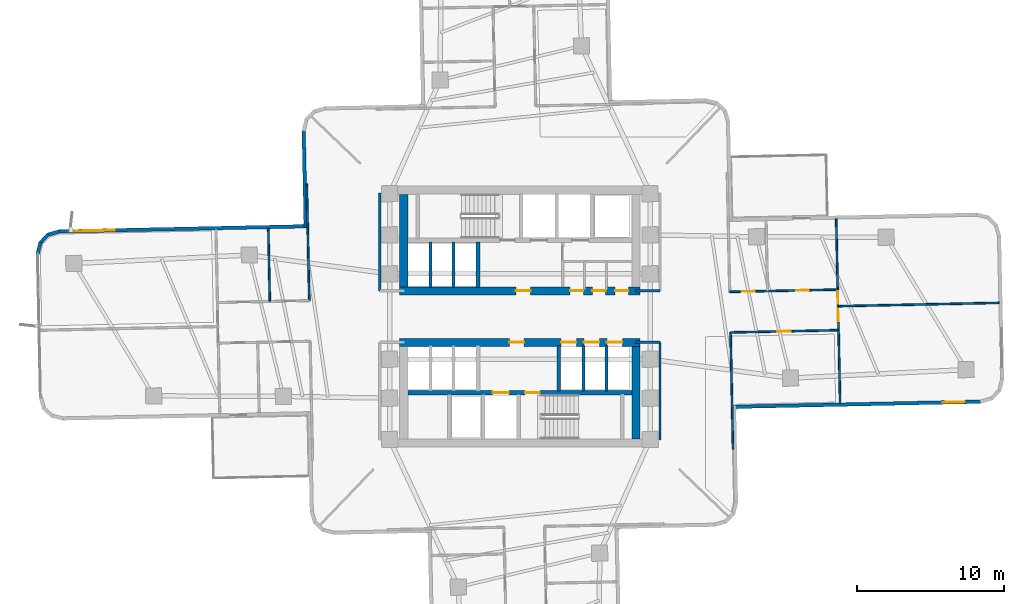
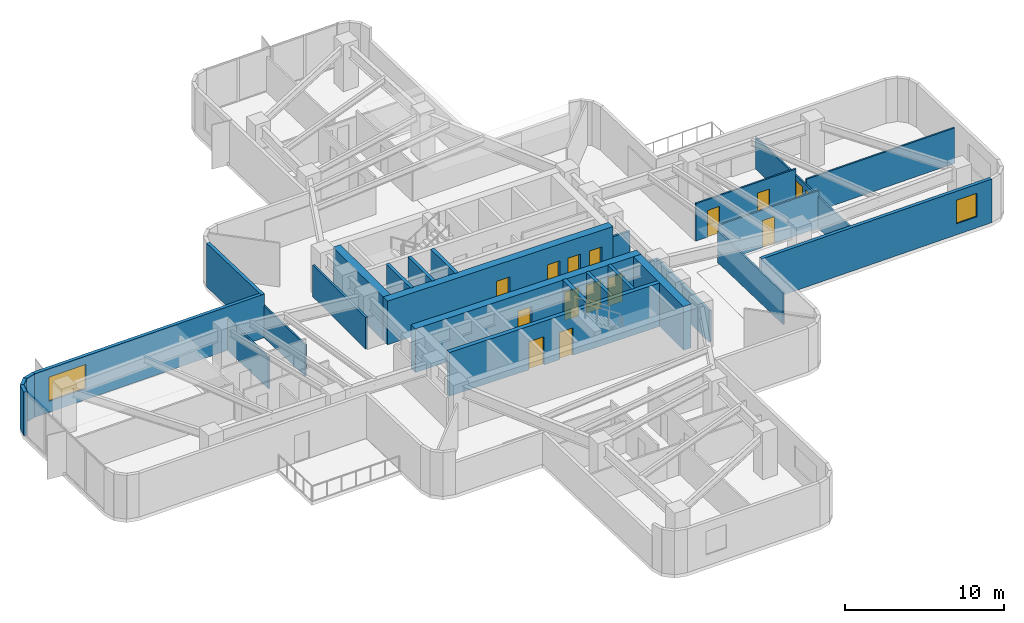
# One storey, part 9 of 15: 28 walls, 15 doors, 2 windows, 17 openings.
"""IFC4 building model written with IfcOpenShell, lengths in metres."""

from ifc_helpers import new_model, si_unit, direction, frame, frame_2d, origin, place, context, subcontext, project, spatial, rectangle, extrude, material, layer, layer_set, type_object, element, fill, save


model = new_model("IFC4")

# Units and contexts
model_context = context("Model", 3, precision=1e-05, world=origin(), true_north=direction((0.0, 1.0)))
body_context = subcontext(model_context, "Body", "Model", "MODEL_VIEW")
ifc_project = project(units=[si_unit("LENGTHUNIT", "METRE"), si_unit("AREAUNIT", "SQUARE_METRE"), si_unit("VOLUMEUNIT", "CUBIC_METRE"), si_unit("PLANEANGLEUNIT", "RADIAN"), si_unit("MASSUNIT", "GRAM", prefix="KILO")], contexts=[model_context])

# Site, building, storey
site_placement = place(None, origin())
site = spatial("IfcSite", under=ifc_project, at=site_placement, CompositionType="ELEMENT")
building_placement = place(site_placement, origin())
building = spatial("IfcBuilding", under=site, at=building_placement, Name="Solmarez Civic Tower", CompositionType="ELEMENT")
storey_placement = place(building_placement, frame((0.0, 0.0, 38.8798828125)))
storey = spatial("IfcBuildingStorey", under=building, at=storey_placement, Name="L09", CompositionType="ELEMENT", Elevation=38.8798828125)

# Wall, openings, doors
ifc_material_1 = material(Name="Concrete C60/75", Category="concrete")
ifc_layer_1 = layer(ifc_material_1, 0.550048828125)
ifc_layer_set_1 = layer_set([ifc_layer_1], Name="Concrete C60/75")
wall_type_1 = type_object("IfcWallType", Name="WALL-CORE-550", PredefinedType="SHEAR", material=ifc_layer_set_1)
wall_1_placement = place(storey_placement, frame((8.169921875, 1.75, 0.0), z_axis=(0.0, 0.0, 1.0), x_axis=(-1.0, 0.0, 0.0)))
wall_1 = element("IfcWall", 1, at=wall_1_placement, inside=storey, type_object=wall_type_1, Name="L09 Split-Core Structural Wall NCW-S-L09", PredefinedType="SHEAR", context=body_context, shape_type="SweptSolid", body=[
    extrude(rectangle(XDim=16.33984375, YDim=0.550048828125, at=frame_2d((8.169921875, 0.0))), origin(), (0.0, 0.0, 1.0), 3.340087890625),
])
opening_1_placement = place(wall_1_placement, frame((7.449951171875, 0.0, 0.0)))
opening_1 = element("IfcOpeningElement", 2, at=opening_1_placement, cuts=wall_1, Name="Opening D-04", PredefinedType="OPENING", context=body_context, shape_type="SweptSolid", body=[
    extrude(rectangle(XDim=1.0, YDim=2.10009765625, at=frame_2d((0.5, 1.050048828125))), frame((0.0, 0.284912109375, 0.0), z_axis=(0.0, -1.0, 0.0), x_axis=(1.0, 0.0, 0.0)), (0.0, 0.0, 1.0), 0.570068359375),
])
opening_2_placement = place(wall_1_placement, frame((3.85009765625, 0.0, 0.0)))
opening_2 = element("IfcOpeningElement", 3, at=opening_2_placement, cuts=wall_1, Name="Opening D-09", PredefinedType="OPENING", context=body_context, shape_type="SweptSolid", body=[
    extrude(rectangle(XDim=0.89990234375, YDim=2.06005859375, at=frame_2d((0.449951171875, 1.030029296875))), frame((0.0, 0.284912109375, 0.0), z_axis=(0.0, -1.0, 0.0), x_axis=(1.0, 0.0, 0.0)), (0.0, 0.0, 1.0), 0.570068359375),
])
opening_3_placement = place(wall_1_placement, frame((2.35009765625, 0.0, 0.0)))
opening_3 = element("IfcOpeningElement", 4, at=opening_3_placement, cuts=wall_1, Name="Opening D-09", PredefinedType="OPENING", context=body_context, shape_type="SweptSolid", body=[
    extrude(rectangle(XDim=0.89990234375, YDim=2.06005859375, at=frame_2d((0.449951171875, 1.030029296875))), frame((0.0, 0.284912109375, 0.0), z_axis=(0.0, -1.0, 0.0), x_axis=(1.0, 0.0, 0.0)), (0.0, 0.0, 1.0), 0.570068359375),
])
opening_4_placement = place(wall_1_placement, frame((0.800048828125, 0.0, 0.0)))
opening_4 = element("IfcOpeningElement", 5, at=opening_4_placement, cuts=wall_1, Name="Opening D-09", PredefinedType="OPENING", context=body_context, shape_type="SweptSolid", body=[
    extrude(rectangle(XDim=0.89990234375, YDim=2.06005859375, at=frame_2d((0.449951171875, 1.030029296875))), frame((0.0, 0.284912109375, 0.0), z_axis=(0.0, -1.0, 0.0), x_axis=(1.0, 0.0, 0.0)), (0.0, 0.0, 1.0), 0.570068359375),
])
ifc_material_2 = material(Name="Steel-Faced Acoustic Fire Door", Category="steel")
door_type_1 = type_object("IfcDoorType", Name="DOOR-FD60-1000", OperationType="NOTDEFINED", PredefinedType="DOOR", material=ifc_material_2)
door_1_placement = place(opening_1_placement, origin())
door_1 = element("IfcDoor", 6, at=door_1_placement, inside=storey, type_object=door_type_1, Name="L09 North Firefighting Lobby Door", OperationType="SINGLE_SWING_RIGHT", OverallHeight=2.10009765625, OverallWidth=1.0, PredefinedType="DOOR", context=body_context, shape_type="SweptSolid", body=[
    extrude(rectangle(XDim=1.0, YDim=2.10009765625, at=frame_2d((0.5, 1.050048828125))), frame((0.0, 0.02490234375, 0.0), z_axis=(0.0, -1.0, 0.0), x_axis=(1.0, 0.0, 0.0)), (0.0, 0.0, 1.0), 0.050048828125),
])
fill(opening_1, door_1)
ifc_material_3 = material(Name="Fire-Rated Service Core Door", Category="wood")
door_type_2 = type_object("IfcDoorType", Name="DOOR-FD60-900", OperationType="NOTDEFINED", PredefinedType="DOOR", material=ifc_material_3)
door_2_placement = place(opening_2_placement, origin())
door_2 = element("IfcDoor", 7, at=door_2_placement, inside=storey, type_object=door_type_2, Name="L09 Core WC Door", OperationType="SINGLE_SWING_RIGHT", OverallHeight=2.06005859375, OverallWidth=0.89990234375, PredefinedType="DOOR", context=body_context, shape_type="SweptSolid", body=[
    extrude(rectangle(XDim=0.89990234375, YDim=2.06005859375, at=frame_2d((0.449951171875, 1.030029296875))), frame((0.0, 0.02490234375, 0.0), z_axis=(0.0, -1.0, 0.0), x_axis=(1.0, 0.0, 0.0)), (0.0, 0.0, 1.0), 0.050048828125),
])
fill(opening_2, door_2)
door_3_placement = place(opening_3_placement, origin())
door_3 = element("IfcDoor", 8, at=door_3_placement, inside=storey, type_object=door_type_2, Name="L09 Core CL Door", OperationType="SINGLE_SWING_LEFT", OverallHeight=2.06005859375, OverallWidth=0.89990234375, PredefinedType="DOOR", context=body_context, shape_type="SweptSolid", body=[
    extrude(rectangle(XDim=0.89990234375, YDim=2.06005859375, at=frame_2d((0.449951171875, 1.030029296875))), frame((0.0, 0.02490234375, 0.0), z_axis=(0.0, -1.0, 0.0), x_axis=(1.0, 0.0, 0.0)), (0.0, 0.0, 1.0), 0.050048828125),
])
fill(opening_3, door_3)
door_4_placement = place(opening_4_placement, origin())
door_4 = element("IfcDoor", 9, at=door_4_placement, inside=storey, type_object=door_type_2, Name="L09 Core IT Door", OperationType="SINGLE_SWING_LEFT", OverallHeight=2.06005859375, OverallWidth=0.89990234375, PredefinedType="DOOR", context=body_context, shape_type="SweptSolid", body=[
    extrude(rectangle(XDim=0.89990234375, YDim=2.06005859375, at=frame_2d((0.449951171875, 1.030029296875))), frame((0.0, 0.02490234375, 0.0), z_axis=(0.0, -1.0, 0.0), x_axis=(1.0, 0.0, 0.0)), (0.0, 0.0, 1.0), 0.050048828125),
])
fill(opening_4, door_4)

# Wall
wall_2_placement = place(storey_placement, frame((-7.89501953125, 2.02490234375, 0.0), z_axis=(0.0, 0.0, 1.0), x_axis=(0.0, 1.0, 0.0)))
element("IfcWall", 10, at=wall_2_placement, inside=storey, type_object=wall_type_1, Name="L09 Split-Core Structural Wall NCW-W-L09", PredefinedType="SHEAR", context=body_context, shape_type="SweptSolid", body=[
    extrude(rectangle(XDim=6.28515625, YDim=0.550048828125, at=frame_2d((3.142578125, 0.0))), origin(), (0.0, 0.0, 1.0), 3.340087890625),
])

# Wall, openings, doors
wall_3_placement = place(storey_placement, frame((-8.169921875, -1.75, 0.0), z_axis=(0.0, 0.0, 1.0), x_axis=(1.0, 0.0, 0.0)))
wall_3 = element("IfcWall", 11, at=wall_3_placement, inside=storey, type_object=wall_type_1, Name="L09 Split-Core Structural Wall SCW-N-L09", PredefinedType="SHEAR", context=body_context, shape_type="SweptSolid", body=[
    extrude(rectangle(XDim=16.33984375, YDim=0.550048828125, at=frame_2d((8.169921875, 0.0))), origin(), (0.0, 0.0, 1.0), 3.340087890625),
])
opening_5_placement = place(wall_3_placement, frame((7.449951171875, 0.0, 0.0)))
opening_5 = element("IfcOpeningElement", 12, at=opening_5_placement, cuts=wall_3, Name="Opening D-04", PredefinedType="OPENING", context=body_context, shape_type="SweptSolid", body=[
    extrude(rectangle(XDim=1.0, YDim=2.10009765625, at=frame_2d((0.5, 1.050048828125))), frame((0.0, 0.284912109375, 0.0), z_axis=(0.0, -1.0, 0.0), x_axis=(1.0, 0.0, 0.0)), (0.0, 0.0, 1.0), 0.570068359375),
])
opening_6_placement = place(wall_3_placement, frame((10.965087890625, 0.0, 0.0)))
opening_6 = element("IfcOpeningElement", 13, at=opening_6_placement, cuts=wall_3, Name="Opening LD-01", PredefinedType="OPENING", context=body_context, shape_type="SweptSolid", body=[
    extrude(rectangle(XDim=1.050048828125, YDim=2.14990234375, at=frame_2d((0.52490234375, 1.074951171875))), frame((0.0, 0.284912109375, 0.0), z_axis=(0.0, -1.0, 0.0), x_axis=(1.0, 0.0, 0.0)), (0.0, 0.0, 1.0), 0.570068359375),
])
opening_7_placement = place(wall_3_placement, frame((12.52490234375, 0.0, 0.0)))
opening_7 = element("IfcOpeningElement", 14, at=opening_7_placement, cuts=wall_3, Name="Opening LD-01", PredefinedType="OPENING", context=body_context, shape_type="SweptSolid", body=[
    extrude(rectangle(XDim=1.050048828125, YDim=2.14990234375, at=frame_2d((0.52490234375, 1.074951171875))), frame((0.0, 0.284912109375, 0.0), z_axis=(0.0, -1.0, 0.0), x_axis=(1.0, 0.0, 0.0)), (0.0, 0.0, 1.0), 0.570068359375),
])
opening_8_placement = place(wall_3_placement, frame((14.0849609375, 0.0, 0.0)))
opening_8 = element("IfcOpeningElement", 15, at=opening_8_placement, cuts=wall_3, Name="Opening LD-01", PredefinedType="OPENING", context=body_context, shape_type="SweptSolid", body=[
    extrude(rectangle(XDim=1.050048828125, YDim=2.14990234375, at=frame_2d((0.52490234375, 1.074951171875))), frame((0.0, 0.284912109375, 0.0), z_axis=(0.0, -1.0, 0.0), x_axis=(1.0, 0.0, 0.0)), (0.0, 0.0, 1.0), 0.570068359375),
])
door_5_placement = place(opening_5_placement, origin())
door_5 = element("IfcDoor", 16, at=door_5_placement, inside=storey, type_object=door_type_1, Name="L09 South Firefighting Lobby Door", OperationType="SINGLE_SWING_LEFT", OverallHeight=2.10009765625, OverallWidth=1.0, PredefinedType="DOOR", context=body_context, shape_type="SweptSolid", body=[
    extrude(rectangle(XDim=1.0, YDim=2.10009765625, at=frame_2d((0.5, 1.050048828125))), frame((0.0, 0.02490234375, 0.0), z_axis=(0.0, -1.0, 0.0), x_axis=(1.0, 0.0, 0.0)), (0.0, 0.0, 1.0), 0.050048828125),
])
fill(opening_5, door_5)
ifc_material_4 = material(Name="Bronze Passenger Lift Landing Sliding Door", Category="aluminium")
door_type_3 = type_object("IfcDoorType", Name="DOOR-LD-PAX-1050", OperationType="DOUBLE_DOOR_SLIDING", PredefinedType="DOOR", material=ifc_material_4)
door_6_placement = place(opening_6_placement, origin())
door_6 = element("IfcDoor", 17, at=door_6_placement, inside=storey, type_object=door_type_3, Name="L09 Low-Rise Lift Landing Door PL-L1", OperationType="DOUBLE_DOOR_SLIDING", OverallHeight=2.14990234375, OverallWidth=1.050048828125, PredefinedType="DOOR", context=body_context, shape_type="SweptSolid", body=[
    extrude(rectangle(XDim=1.050048828125, YDim=2.14990234375, at=frame_2d((0.52490234375, 1.074951171875))), frame((0.0, 0.02490234375, 0.0), z_axis=(0.0, -1.0, 0.0), x_axis=(1.0, 0.0, 0.0)), (0.0, 0.0, 1.0), 0.050048828125),
])
fill(opening_6, door_6)
door_7_placement = place(opening_7_placement, origin())
door_7 = element("IfcDoor", 18, at=door_7_placement, inside=storey, type_object=door_type_3, Name="L09 Low-Rise Lift Landing Door PL-L2", OperationType="DOUBLE_DOOR_SLIDING", OverallHeight=2.14990234375, OverallWidth=1.050048828125, PredefinedType="DOOR", context=body_context, shape_type="SweptSolid", body=[
    extrude(rectangle(XDim=1.050048828125, YDim=2.14990234375, at=frame_2d((0.52490234375, 1.074951171875))), frame((0.0, 0.02490234375, 0.0), z_axis=(0.0, -1.0, 0.0), x_axis=(1.0, 0.0, 0.0)), (0.0, 0.0, 1.0), 0.050048828125),
])
fill(opening_7, door_7)
door_8_placement = place(opening_8_placement, origin())
door_8 = element("IfcDoor", 19, at=door_8_placement, inside=storey, type_object=door_type_3, Name="L09 Low-Rise Lift Landing Door PL-L3", OperationType="DOUBLE_DOOR_SLIDING", OverallHeight=2.14990234375, OverallWidth=1.050048828125, PredefinedType="DOOR", context=body_context, shape_type="SweptSolid", body=[
    extrude(rectangle(XDim=1.050048828125, YDim=2.14990234375, at=frame_2d((0.52490234375, 1.074951171875))), frame((0.0, 0.02490234375, 0.0), z_axis=(0.0, -1.0, 0.0), x_axis=(1.0, 0.0, 0.0)), (0.0, 0.0, 1.0), 0.050048828125),
])
fill(opening_8, door_8)

# Walls
wall_4_placement = place(storey_placement, frame((7.89501953125, -2.02490234375, 0.0), z_axis=(0.0, 0.0, 1.0), x_axis=(0.0, -1.0, 0.0)))
element("IfcWall", 20, at=wall_4_placement, inside=storey, type_object=wall_type_1, Name="L09 Split-Core Structural Wall SCW-E-L09", PredefinedType="SHEAR", context=body_context, shape_type="SweptSolid", body=[
    extrude(rectangle(XDim=6.28515625, YDim=0.550048828125, at=frame_2d((3.142578125, 0.0))), origin(), (0.0, 0.0, 1.0), 3.340087890625),
])
ifc_material_5 = material(Name="Precast concrete C40/50", Category="concrete")
ifc_layer_2 = layer(ifc_material_5, 0.239990234375)
ifc_layer_set_2 = layer_set([ifc_layer_2], Name="Precast concrete C40/50")
wall_type_2 = type_object("IfcWallType", Name="WALL-EXT-240", PredefinedType="SOLIDWALL", material=ifc_layer_set_2)
wall_5_placement = place(storey_placement, frame((-32.781982421875, 4.235107421875, 0.0), z_axis=(0.0, 0.0, 1.0), x_axis=(0.238860968489, 0.971053776952, 0.0)))
element("IfcWall", 21, at=wall_5_placement, inside=storey, type_object=wall_type_2, Name="L09 Exterior Precast Wall 7", PredefinedType="SOLIDWALL", context=body_context, shape_type="SweptSolid", body=[
    extrude(rectangle(XDim=0.828857421875, YDim=0.239990234375, at=frame_2d((0.41455078125, 0.0))), origin(), (0.0, 0.0, 1.0), 3.340087890625),
])
wall_6_placement = place(storey_placement, frame((-32.60693359375, 4.998046875, 0.0), z_axis=(0.0, 0.0, 1.0), x_axis=(0.691018151037, 0.722837405602, 0.0)))
element("IfcWall", 22, at=wall_6_placement, inside=storey, type_object=wall_type_2, Name="L09 Exterior Precast Wall 8", PredefinedType="SOLIDWALL", context=body_context, shape_type="SweptSolid", body=[
    extrude(rectangle(XDim=0.813232421875, YDim=0.239990234375, at=frame_2d((0.40673828125, 0.0))), origin(), (0.0, 0.0, 1.0), 3.340087890625),
])
wall_7_placement = place(storey_placement, frame((-32.0859375, 5.56103515625, 0.0), z_axis=(0.0, 0.0, 1.0), x_axis=(0.960249728562, 0.279142362954, 0.0)))
element("IfcWall", 23, at=wall_7_placement, inside=storey, type_object=wall_type_2, Name="L09 Exterior Precast Wall 9", PredefinedType="SOLIDWALL", context=body_context, shape_type="SweptSolid", body=[
    extrude(rectangle(XDim=0.830810546875, YDim=0.239990234375, at=frame_2d((0.41552734375, 0.0))), origin(), (0.0, 0.0, 1.0), 3.340087890625),
])

# Wall, opening, window
wall_8_placement = place(storey_placement, frame((-31.3369140625, 5.784912109375, 0.0), z_axis=(0.0, 0.0, 1.0), x_axis=(0.999779951425, 0.020977338469, 0.0)))
wall_8 = element("IfcWall", 24, at=wall_8_placement, inside=storey, type_object=wall_type_2, Name="L09 Exterior Precast Wall 10", PredefinedType="SOLIDWALL", context=body_context, shape_type="SweptSolid", body=[
    extrude(rectangle(XDim=16.87548828125, YDim=0.239990234375, at=frame_2d((8.437744140625, 0.0))), origin(), (0.0, 0.0, 1.0), 3.340087890625),
])
opening_9_placement = place(wall_8_placement, frame((1.10009765625, 0.0, 0.85009765625)))
opening_9 = element("IfcOpeningElement", 25, at=opening_9_placement, cuts=wall_8, Name="Opening W-05", PredefinedType="OPENING", context=body_context, shape_type="SweptSolid", body=[
    extrude(rectangle(XDim=2.699951171875, YDim=1.85009765625, at=frame_2d((1.35009765625, 0.925048828125))), frame((0.0, 0.1298828125, 0.0), z_axis=(0.0, -1.0, 0.0), x_axis=(1.0, 0.0, 0.0)), (0.0, 0.0, 1.0), 0.260009765625),
])
ifc_material_6 = material(Name="Solar Control Bronze-Tinted Insulating Glass", Category="glass")
window_type_1 = type_object("IfcWindowType", Name="WIN-2700X1850", PartitioningType="SINGLE_PANEL", PredefinedType="WINDOW", material=ifc_material_6)
window_1_placement = place(opening_9_placement, origin())
window_1 = element("IfcWindow", 26, at=window_1_placement, inside=storey, type_object=window_type_1, Name="L09 Exterior Facade Window 10", OverallHeight=1.85009765625, OverallWidth=2.699951171875, PartitioningType="SINGLE_PANEL", PredefinedType="WINDOW", context=body_context, shape_type="SweptSolid", body=[
    extrude(rectangle(XDim=2.699951171875, YDim=1.85009765625, at=frame_2d((1.35009765625, 0.925048828125))), frame((0.0, 0.030029296875, 0.0), z_axis=(0.0, -1.0, 0.0), x_axis=(1.0, 0.0, 0.0)), (0.0, 0.0, 1.0), 0.06005859375),
])
fill(opening_9, window_1)

# Wall
wall_9_placement = place(storey_placement, frame((-14.55908203125, 6.041015625, 0.0), z_axis=(0.0, 0.0, 1.0), x_axis=(-0.021149327571, 0.999776327957, 0.0)))
element("IfcWall", 27, at=wall_9_placement, inside=storey, type_object=wall_type_2, Name="L09 Exterior Precast Wall 13", PredefinedType="SOLIDWALL", context=body_context, shape_type="SweptSolid", body=[
    extrude(rectangle(XDim=6.614501953125, YDim=0.239990234375, at=frame_2d((3.30712890625, 0.0))), origin(), (0.0, 0.0, 1.0), 3.340087890625),
])

# Wall, opening, window
wall_10_placement = place(storey_placement, frame((31.3369140625, -5.784912109375, 0.0), z_axis=(0.0, 0.0, 1.0), x_axis=(-0.999779951425, -0.020977338469, 0.0)))
wall_10 = element("IfcWall", 28, at=wall_10_placement, inside=storey, type_object=wall_type_2, Name="L09 Exterior Precast Wall 46", PredefinedType="SOLIDWALL", context=body_context, shape_type="SweptSolid", body=[
    extrude(rectangle(XDim=16.87548828125, YDim=0.239990234375, at=frame_2d((8.437744140625, 0.0))), origin(), (0.0, 0.0, 1.0), 3.340087890625),
])
opening_10_placement = place(wall_10_placement, frame((1.10009765625, 0.0, 0.85009765625)))
opening_10 = element("IfcOpeningElement", 29, at=opening_10_placement, cuts=wall_10, Name="Opening W-13", PredefinedType="OPENING", context=body_context, shape_type="SweptSolid", body=[
    extrude(rectangle(XDim=1.5, YDim=1.800048828125, at=frame_2d((0.75, 0.89990234375))), frame((0.0, 0.1298828125, 0.0), z_axis=(0.0, -1.0, 0.0), x_axis=(1.0, 0.0, 0.0)), (0.0, 0.0, 1.0), 0.260009765625),
])
window_type_2 = type_object("IfcWindowType", Name="WIN-1500X1800", PartitioningType="SINGLE_PANEL", PredefinedType="WINDOW", material=ifc_material_6)
window_2_placement = place(opening_10_placement, origin())
window_2 = element("IfcWindow", 30, at=window_2_placement, inside=storey, type_object=window_type_2, Name="L09 Exterior Facade Window 46", OverallHeight=1.800048828125, OverallWidth=1.5, PartitioningType="SINGLE_PANEL", PredefinedType="WINDOW", context=body_context, shape_type="SweptSolid", body=[
    extrude(rectangle(XDim=1.5, YDim=1.800048828125, at=frame_2d((0.75, 0.89990234375))), frame((0.0, 0.030029296875, 0.0), z_axis=(0.0, -1.0, 0.0), x_axis=(1.0, 0.0, 0.0)), (0.0, 0.0, 1.0), 0.06005859375),
])
fill(opening_10, window_2)

# Walls
ifc_material_7 = material(Name="Gypsum Board Acoustic Steel-Stud Partition", Category="steel")
ifc_layer_3 = layer(ifc_material_7, 0.14990234375)
ifc_layer_set_3 = layer_set([ifc_layer_3], Name="Gypsum Board Acoustic Steel-Stud Partition")
wall_type_3 = type_object("IfcWallType", Name="WALL-INT-FIRE-150", PredefinedType="PARTITIONING", material=ifc_layer_set_3)
wall_11_placement = place(storey_placement, frame((-9.52001953125, 1.75, 0.0), z_axis=(0.0, 0.0, 1.0), x_axis=(0.0, 1.0, 0.0)))
element("IfcWall", 31, at=wall_11_placement, inside=storey, type_object=wall_type_3, Name="L09 Interior Partition CHW-L09-WN1", PredefinedType="PARTITIONING", context=body_context, shape_type="SweptSolid", body=[
    extrude(rectangle(XDim=6.6298828125, YDim=0.14990234375, at=frame_2d((3.31494140625, 0.0))), origin(), (0.0, 0.0, 1.0), 2.421142578125),
])
wall_12_placement = place(storey_placement, frame((7.85009765625, 1.75, 0.0), z_axis=(0.0, 0.0, 1.0), x_axis=(1.0, 0.0, 0.0)))
element("IfcWall", 32, at=wall_12_placement, inside=storey, type_object=wall_type_3, Name="L09 Interior Partition CHW-L09-EN3", PredefinedType="PARTITIONING", context=body_context, shape_type="SweptSolid", body=[
    extrude(rectangle(XDim=1.669921875, YDim=0.14990234375, at=frame_2d((0.8349609375, 0.0))), origin(), (0.0, 0.0, 1.0), 2.405029296875),
])
wall_13_placement = place(storey_placement, frame((9.52001953125, -8.3798828125, 0.0), z_axis=(0.0, 0.0, 1.0), x_axis=(0.0, 1.0, 0.0)))
element("IfcWall", 33, at=wall_13_placement, inside=storey, type_object=wall_type_3, Name="L09 Interior Partition CHW-L09-ES1", PredefinedType="PARTITIONING", context=body_context, shape_type="SweptSolid", body=[
    extrude(rectangle(XDim=6.6298828125, YDim=0.14990234375, at=frame_2d((3.31494140625, 0.0))), origin(), (0.0, 0.0, 1.0), 2.421142578125),
])
wall_14_placement = place(storey_placement, frame((7.85009765625, -1.75, 0.0), z_axis=(0.0, 0.0, 1.0), x_axis=(1.0, 0.0, 0.0)))
element("IfcWall", 34, at=wall_14_placement, inside=storey, type_object=wall_type_3, Name="L09 Interior Partition CHW-L09-ES3", PredefinedType="PARTITIONING", context=body_context, shape_type="SweptSolid", body=[
    extrude(rectangle(XDim=1.669921875, YDim=0.14990234375, at=frame_2d((0.8349609375, 0.0))), origin(), (0.0, 0.0, 1.0), 2.405029296875),
])
ifc_layer_4 = layer(ifc_material_7, 0.1201171875)
ifc_layer_set_4 = layer_set([ifc_layer_4], Name="Gypsum Board Acoustic Steel-Stud Partition")
wall_type_4 = type_object("IfcWallType", Name="WALL-INT-PART-120", PredefinedType="PARTITIONING", material=ifc_layer_set_4)
wall_15_placement = place(storey_placement, frame((14.48193359375, -9.01806640625, 0.0), z_axis=(0.0, 0.0, 1.0), x_axis=(-0.020883173321, 0.999781922757, 0.0)))
element("IfcWall", 35, at=wall_15_placement, inside=storey, type_object=wall_type_4, Name="L09 Interior Partition PT-L09-E-EFR", PredefinedType="PARTITIONING", context=body_context, shape_type="SweptSolid", body=[
    extrude(rectangle(XDim=7.94970703125, YDim=0.1201171875, at=frame_2d((3.974853515625, 0.0))), origin(), (0.0, 0.0, 1.0), 2.421142578125),
])

# Wall, openings, doors
wall_16_placement = place(storey_placement, frame((21.595947265625, 1.8330078125, 0.0), z_axis=(0.0, 0.0, 1.0), x_axis=(-0.999779695776, -0.020989519165, 0.0)))
wall_16 = element("IfcWall", 36, at=wall_16_placement, inside=storey, type_object=wall_type_4, Name="L09 Interior Partition PT-L09-E-SL", PredefinedType="PARTITIONING", context=body_context, shape_type="SweptSolid", body=[
    extrude(rectangle(XDim=7.339599609375, YDim=0.1201171875, at=frame_2d((3.669921875, 0.0))), origin(), (0.0, 0.0, 1.0), 2.869140625),
])
opening_11_placement = place(wall_16_placement, frame((5.625, 0.0, 0.0)))
opening_11 = element("IfcOpeningElement", 37, at=opening_11_placement, cuts=wall_16, Name="Opening D-14", PredefinedType="OPENING", context=body_context, shape_type="SweptSolid", body=[
    extrude(rectangle(XDim=0.860107421875, YDim=2.0400390625, at=frame_2d((0.43017578125, 1.02001953125))), frame((0.0, 0.070068359375, 0.0), z_axis=(0.0, -1.0, 0.0), x_axis=(1.0, 0.0, 0.0)), (0.0, 0.0, 1.0), 0.14013671875),
])
opening_12_placement = place(wall_16_placement, frame((1.955078125, 0.0, 0.0)))
opening_12 = element("IfcOpeningElement", 38, at=opening_12_placement, cuts=wall_16, Name="Opening D-14", PredefinedType="OPENING", context=body_context, shape_type="SweptSolid", body=[
    extrude(rectangle(XDim=0.860107421875, YDim=2.0400390625, at=frame_2d((0.43017578125, 1.02001953125))), frame((0.0, 0.070068359375, 0.0), z_axis=(0.0, -1.0, 0.0), x_axis=(1.0, 0.0, 0.0)), (0.0, 0.0, 1.0), 0.14013671875),
])
ifc_material_8 = material(Name="Timber Storage and Pantry Door", Category="wood")
door_type_4 = type_object("IfcDoorType", Name="DOOR-INT-850", OperationType="NOTDEFINED", PredefinedType="DOOR", material=ifc_material_8)
door_9_placement = place(opening_11_placement, origin())
door_9 = element("IfcDoor", 39, at=door_9_placement, inside=storey, type_object=door_type_4, Name="L09 Legislative Seminar Room First East Door", OperationType="SINGLE_SWING_LEFT", OverallHeight=2.0400390625, OverallWidth=0.860107421875, PredefinedType="DOOR", context=body_context, shape_type="SweptSolid", body=[
    extrude(rectangle(XDim=0.860107421875, YDim=2.0400390625, at=frame_2d((0.43017578125, 1.02001953125))), frame((0.0, 0.02490234375, 0.0), z_axis=(0.0, -1.0, 0.0), x_axis=(1.0, 0.0, 0.0)), (0.0, 0.0, 1.0), 0.050048828125),
])
fill(opening_11, door_9)
door_10_placement = place(opening_12_placement, origin())
door_10 = element("IfcDoor", 40, at=door_10_placement, inside=storey, type_object=door_type_4, Name="L09 Civic Training Classroom Second East Door", OperationType="SINGLE_SWING_RIGHT", OverallHeight=2.0400390625, OverallWidth=0.860107421875, PredefinedType="DOOR", context=body_context, shape_type="SweptSolid", body=[
    extrude(rectangle(XDim=0.860107421875, YDim=2.0400390625, at=frame_2d((0.43017578125, 1.02001953125))), frame((0.0, 0.02490234375, 0.0), z_axis=(0.0, -1.0, 0.0), x_axis=(1.0, 0.0, 0.0)), (0.0, 0.0, 1.0), 0.050048828125),
])
fill(opening_12, door_10)

# Wall, opening, door
wall_17_placement = place(storey_placement, frame((14.31591796875, -1.080078125, 0.0), z_axis=(0.0, 0.0, 1.0), x_axis=(0.999782493564, 0.020855828042, 0.0)))
wall_17 = element("IfcWall", 41, at=wall_17_placement, inside=storey, type_object=wall_type_4, Name="L09 Interior Partition PT-L09-E-SR", PredefinedType="PARTITIONING", context=body_context, shape_type="SweptSolid", body=[
    extrude(rectangle(XDim=7.33984375, YDim=0.1201171875, at=frame_2d((3.669921875, 0.0))), origin(), (0.0, 0.0, 1.0), 2.869140625),
])
opening_13_placement = place(wall_17_placement, frame((3.18994140625, 0.0, 0.0)))
opening_13 = element("IfcOpeningElement", 42, at=opening_13_placement, cuts=wall_17, Name="Opening D-08", PredefinedType="OPENING", context=body_context, shape_type="SweptSolid", body=[
    extrude(rectangle(XDim=0.89990234375, YDim=2.06005859375, at=frame_2d((0.449951171875, 1.030029296875))), frame((0.0, 0.070068359375, 0.0), z_axis=(0.0, -1.0, 0.0), x_axis=(1.0, 0.0, 0.0)), (0.0, 0.0, 1.0), 0.14013671875),
])
ifc_material_9 = material(Name="Solid-Core Timber Office Door", Category="wood")
door_type_5 = type_object("IfcDoorType", Name="DOOR-INT-900", OperationType="NOTDEFINED", PredefinedType="DOOR", material=ifc_material_9)
door_11_placement = place(opening_13_placement, origin())
door_11 = element("IfcDoor", 43, at=door_11_placement, inside=storey, type_object=door_type_5, Name="L09 Delegates Sitting Lounge Third East Door", OperationType="SINGLE_SWING_RIGHT", OverallHeight=2.06005859375, OverallWidth=0.89990234375, PredefinedType="DOOR", context=body_context, shape_type="SweptSolid", body=[
    extrude(rectangle(XDim=0.89990234375, YDim=2.06005859375, at=frame_2d((0.449951171875, 1.030029296875))), frame((0.0, 0.02490234375, 0.0), z_axis=(0.0, -1.0, 0.0), x_axis=(1.0, 0.0, 0.0)), (0.0, 0.0, 1.0), 0.050048828125),
])
fill(opening_13, door_11)

# Wall
wall_18_placement = place(storey_placement, frame((21.679931640625, 0.7041015625, 0.0), z_axis=(0.0, 0.0, 1.0), x_axis=(0.999781840983, 0.02088708788, 0.0)))
element("IfcWall", 44, at=wall_18_placement, inside=storey, type_object=wall_type_4, Name="L09 Interior Partition PT-L09-E-TM", PredefinedType="PARTITIONING", context=body_context, shape_type="SweptSolid", body=[
    extrude(rectangle(XDim=10.905517578125, YDim=0.1201171875, at=frame_2d((5.45263671875, 0.0))), origin(), (0.0, 0.0, 1.0), 2.72021484375),
])

# Wall, openings, doors
wall_19_placement = place(storey_placement, frame((21.4951171875, 6.64697265625, 0.0), z_axis=(0.0, 0.0, 1.0), x_axis=(0.021028114531, -0.999778884754, 0.0)))
wall_19 = element("IfcWall", 45, at=wall_19_placement, inside=storey, type_object=wall_type_4, Name="L09 Interior Partition PT-L09-E-END", PredefinedType="PARTITIONING", context=body_context, shape_type="SweptSolid", body=[
    extrude(rectangle(XDim=12.550537109375, YDim=0.1201171875, at=frame_2d((6.275390625, 0.0))), origin(), (0.0, 0.0, 1.0), 2.421142578125),
])
opening_14_placement = place(wall_19_placement, frame((6.114990234375, 0.0, 0.0)))
opening_14 = element("IfcOpeningElement", 46, at=opening_14_placement, cuts=wall_19, Name="Opening D-14", PredefinedType="OPENING", context=body_context, shape_type="SweptSolid", body=[
    extrude(rectangle(XDim=0.860107421875, YDim=2.0400390625, at=frame_2d((0.43017578125, 1.02001953125))), frame((0.0, 0.070068359375, 0.0), z_axis=(0.0, -1.0, 0.0), x_axis=(1.0, 0.0, 0.0)), (0.0, 0.0, 1.0), 0.14013671875),
])
opening_15_placement = place(wall_19_placement, frame((4.9150390625, 0.0, 0.0)))
opening_15 = element("IfcOpeningElement", 47, at=opening_15_placement, cuts=wall_19, Name="Opening D-14", PredefinedType="OPENING", context=body_context, shape_type="SweptSolid", body=[
    extrude(rectangle(XDim=0.860107421875, YDim=2.0400390625, at=frame_2d((0.43017578125, 1.02001953125))), frame((0.0, 0.070068359375, 0.0), z_axis=(0.0, -1.0, 0.0), x_axis=(1.0, 0.0, 0.0)), (0.0, 0.0, 1.0), 0.14013671875),
])
door_12_placement = place(opening_14_placement, origin())
door_12 = element("IfcDoor", 48, at=door_12_placement, inside=storey, type_object=door_type_4, Name="L09 Public Reception Room Sixth East Door", OperationType="SINGLE_SWING_RIGHT", OverallHeight=2.0400390625, OverallWidth=0.860107421875, PredefinedType="DOOR", context=body_context, shape_type="SweptSolid", body=[
    extrude(rectangle(XDim=0.860107421875, YDim=2.0400390625, at=frame_2d((0.43017578125, 1.02001953125))), frame((0.0, 0.02490234375, 0.0), z_axis=(0.0, -1.0, 0.0), x_axis=(1.0, 0.0, 0.0)), (0.0, 0.0, 1.0), 0.050048828125),
])
fill(opening_14, door_12)
door_13_placement = place(opening_15_placement, origin())
door_13 = element("IfcDoor", 49, at=door_13_placement, inside=storey, type_object=door_type_4, Name="L09 Delegates Sitting Lounge Fifth East Door", OperationType="SINGLE_SWING_LEFT", OverallHeight=2.0400390625, OverallWidth=0.860107421875, PredefinedType="DOOR", context=body_context, shape_type="SweptSolid", body=[
    extrude(rectangle(XDim=0.860107421875, YDim=2.0400390625, at=frame_2d((0.43017578125, 1.02001953125))), frame((0.0, 0.02490234375, 0.0), z_axis=(0.0, -1.0, 0.0), x_axis=(1.0, 0.0, 0.0)), (0.0, 0.0, 1.0), 0.050048828125),
])
fill(opening_15, door_13)

# Walls
wall_20_placement = place(storey_placement, frame((-14.48193359375, 9.01806640625, 0.0), z_axis=(0.0, 0.0, 1.0), x_axis=(0.020883173321, -0.999781922757, 0.0)))
element("IfcWall", 50, at=wall_20_placement, inside=storey, type_object=wall_type_4, Name="L09 Interior Partition PT-L09-W-EFR", PredefinedType="PARTITIONING", context=body_context, shape_type="SweptSolid", body=[
    extrude(rectangle(XDim=7.94970703125, YDim=0.1201171875, at=frame_2d((3.974853515625, 0.0))), origin(), (0.0, 0.0, 1.0), 2.421142578125),
])
wall_21_placement = place(storey_placement, frame((-17.09912109375, 5.998046875, 0.0), z_axis=(0.0, 0.0, 1.0), x_axis=(0.02079187731, -0.999783825553, 0.0)))
element("IfcWall", 51, at=wall_21_placement, inside=storey, type_object=wall_type_4, Name="L09 Interior Partition PT-L09-W-RM", PredefinedType="PARTITIONING", context=body_context, shape_type="SweptSolid", body=[
    extrude(rectangle(XDim=4.955078125, YDim=0.1201171875, at=frame_2d((2.4775390625, 0.0))), origin(), (0.0, 0.0, 1.0), 2.421142578125),
])

# Wall, openings, doors
ifc_material_10 = material(Name="Concrete C50/60", Category="concrete")
ifc_layer_5 = layer(ifc_material_10, 0.300048828125)
ifc_layer_set_5 = layer_set([ifc_layer_5], Name="Concrete C50/60")
wall_type_5 = type_object("IfcWallType", Name="WALL-STR-300", PredefinedType="SOLIDWALL", material=ifc_layer_set_5)
wall_22_placement = place(storey_placement, frame((-7.6201171875, -5.179931640625, 0.0), z_axis=(0.0, 0.0, 1.0), x_axis=(1.0, 0.0, 0.0)))
wall_22 = element("IfcWall", 52, at=wall_22_placement, inside=storey, type_object=wall_type_5, Name="L09 Split-Core Structural Wall SCW-M-L09", PredefinedType="SOLIDWALL", context=body_context, shape_type="SweptSolid", body=[
    extrude(rectangle(XDim=15.240234375, YDim=0.300048828125, at=frame_2d((7.6201171875, 0.0))), origin(), (0.0, 0.0, 1.0), 3.340087890625),
])
opening_16_placement = place(wall_22_placement, frame((5.77001953125, 0.0, 0.0)))
opening_16 = element("IfcOpeningElement", 53, at=opening_16_placement, cuts=wall_22, Name="Opening LD-02", PredefinedType="OPENING", context=body_context, shape_type="SweptSolid", body=[
    extrude(rectangle(XDim=1.10009765625, YDim=2.14990234375, at=frame_2d((0.550048828125, 1.074951171875))), frame((0.0, 0.159912109375, 0.0), z_axis=(0.0, -1.0, 0.0), x_axis=(1.0, 0.0, 0.0)), (0.0, 0.0, 1.0), 0.320068359375),
])
opening_17_placement = place(wall_22_placement, frame((7.969970703125, 0.0, 0.0)))
opening_17 = element("IfcOpeningElement", 54, at=opening_17_placement, cuts=wall_22, Name="Opening D-05", PredefinedType="OPENING", context=body_context, shape_type="SweptSolid", body=[
    extrude(rectangle(XDim=1.0, YDim=2.10009765625, at=frame_2d((0.5, 1.050048828125))), frame((0.0, 0.159912109375, 0.0), z_axis=(0.0, -1.0, 0.0), x_axis=(1.0, 0.0, 0.0)), (0.0, 0.0, 1.0), 0.320068359375),
])
ifc_material_11 = material(Name="Fire-Rated Stairwell Exit Door", Category="wood")
door_type_6 = type_object("IfcDoorType", Name="DOOR-FD90-1000", OperationType="NOTDEFINED", PredefinedType="DOOR", material=ifc_material_11)
door_14_placement = place(opening_17_placement, origin())
door_14 = element("IfcDoor", 55, at=door_14_placement, inside=storey, type_object=door_type_6, Name="L09 South Exit Stair Door ST-2", OperationType="SINGLE_SWING_LEFT", OverallHeight=2.10009765625, OverallWidth=1.0, PredefinedType="DOOR", context=body_context, shape_type="SweptSolid", body=[
    extrude(rectangle(XDim=1.0, YDim=2.10009765625, at=frame_2d((0.5, 1.050048828125))), frame((0.0, 0.02490234375, 0.0), z_axis=(0.0, -1.0, 0.0), x_axis=(1.0, 0.0, 0.0)), (0.0, 0.0, 1.0), 0.050048828125),
])
fill(opening_17, door_14)
ifc_material_12 = material(Name="Stainless Firefighting Lift Landing Sliding Door", Category="aluminium")
door_type_7 = type_object("IfcDoorType", Name="DOOR-LD-FF-1100", OperationType="DOUBLE_DOOR_SLIDING", PredefinedType="DOOR", material=ifc_material_12)
door_15_placement = place(opening_16_placement, origin())
door_15 = element("IfcDoor", 56, at=door_15_placement, inside=storey, type_object=door_type_7, Name="L09 Firefighting Lift Landing Door FFL-2", OperationType="DOUBLE_DOOR_SLIDING", OverallHeight=2.14990234375, OverallWidth=1.10009765625, PredefinedType="DOOR", context=body_context, shape_type="SweptSolid", body=[
    extrude(rectangle(XDim=1.10009765625, YDim=2.14990234375, at=frame_2d((0.550048828125, 1.074951171875))), frame((0.0, 0.02490234375, 0.0), z_axis=(0.0, -1.0, 0.0), x_axis=(1.0, 0.0, 0.0)), (0.0, 0.0, 1.0), 0.050048828125),
])
fill(opening_16, door_15)

# Walls
for number, where, z_axis, x_axis, name in (
    (57, (-2.85009765625, 1.97998046875, 0.0), (0.0, 0.0, 1.0), (0.0, 1.0, 0.0), "L09 Split-Core Structural Wall SHW-NL1-L09"),
    (58, (2.64990234375, -5.050048828125, 0.0), (0.0, 0.0, 1.0), (0.0, 1.0, 0.0), "L09 Split-Core Structural Wall SHW-SL2-L09"),
):
    element("IfcWall", number, at=place(storey_placement, frame(where, z_axis=z_axis, x_axis=x_axis)), inside=storey, type_object=wall_type_5, Name=name, PredefinedType="SOLIDWALL", context=body_context, shape_type="SweptSolid", body=[
        extrude(rectangle(XDim=3.070068359375, YDim=0.25, at=frame_2d((1.53515625, 0.0))), origin(), (0.0, 0.0, 1.0), 3.340087890625),
    ])
for number, where, z_axis, x_axis, name in (
    (59, (-6.080078125, 1.97998046875, 0.0), (0.0, 0.0, 1.0), (0.0, 1.0, 0.0), "L09 Split-Core Structural Wall SHW-PLH-L09-1"),
    (60, (-4.52001953125, 1.97998046875, 0.0), (0.0, 0.0, 1.0), (0.0, 1.0, 0.0), "L09 Split-Core Structural Wall SHW-PLH-L09-2"),
    (61, (4.320068359375, -5.050048828125, 0.0), (0.0, 0.0, 1.0), (0.0, 1.0, 0.0), "L09 Split-Core Structural Wall SHW-PLL-L09-1"),
    (62, (5.8798828125, -5.050048828125, 0.0), (0.0, 0.0, 1.0), (0.0, 1.0, 0.0), "L09 Split-Core Structural Wall SHW-PLL-L09-2"),
):
    element("IfcWall", number, at=place(storey_placement, frame(where, z_axis=z_axis, x_axis=x_axis)), inside=storey, type_object=wall_type_5, Name=name, PredefinedType="SOLIDWALL", context=body_context, shape_type="SweptSolid", body=[
        extrude(rectangle(XDim=3.070068359375, YDim=0.219970703125, at=frame_2d((1.53515625, 0.0))), origin(), (0.0, 0.0, 1.0), 3.340087890625),
    ])

save(model, "model.ifc")
